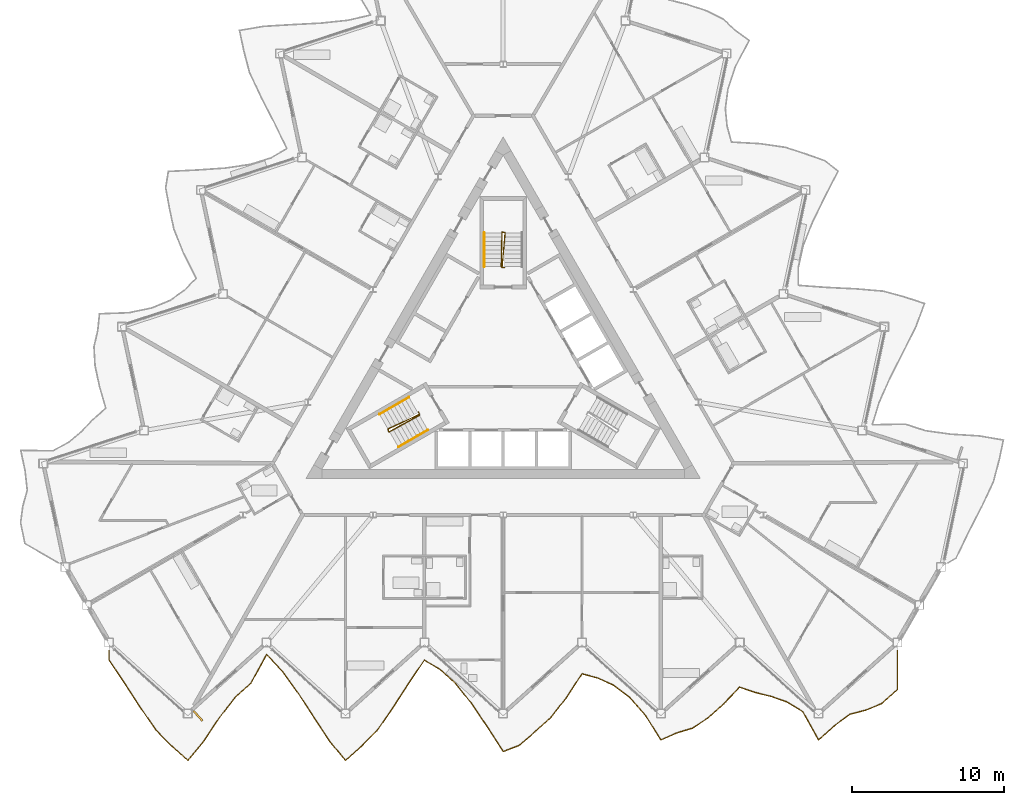
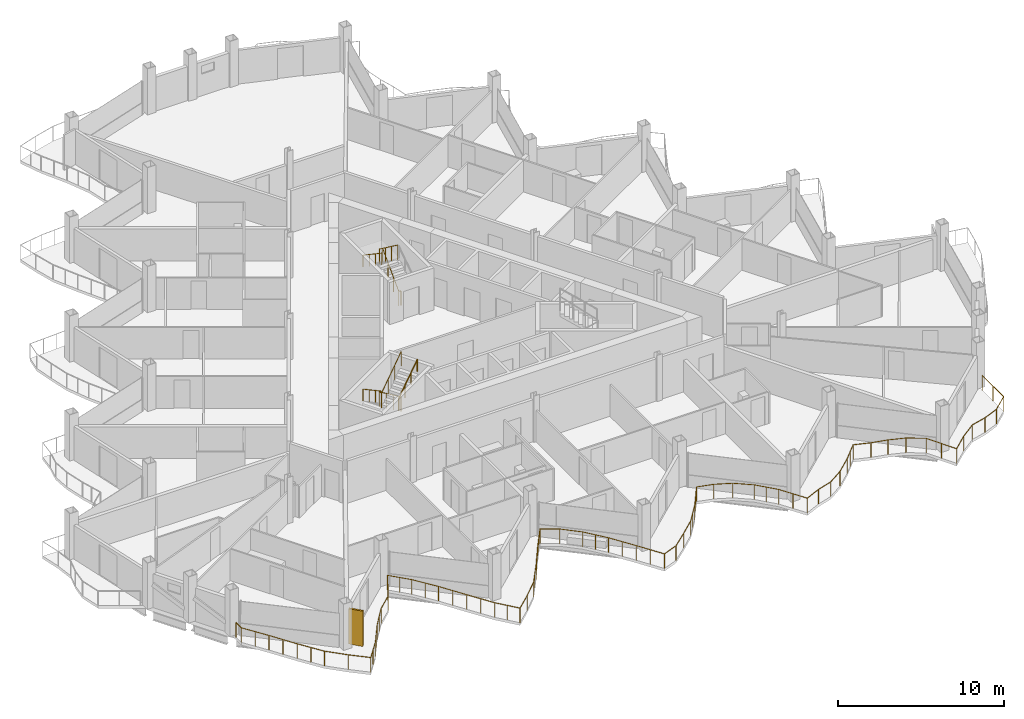
# One storey, part 22 of 26: 6 railings, 1 shading device.
"""IFC4 building model written with IfcOpenShell, lengths in metres."""

import ifcopenshell
import ifcopenshell.guid

model = None  # the IFC model being written
_history = None  # IfcOwnerHistory: only IFC2X3 demands one
_inside = {}  # id of a spatial element -> (the spatial element, [elements in it])
_under = {}  # id of a project, library or spatial element -> (it, [spatial elements below it])
_declared = {}  # id of a project -> (the project, [libraries it declares])
_typed = {}  # id of a type object -> (the type object, [elements of that type])
_made_of = {}  # id of a material, layer set ... -> (it, [elements and type objects made of it])


def new_model(schema):
    """Start an empty IFC model of exactly this schema.

    Asked for "IFC4X3", IfcOpenShell would pick the latest addendum, in which some entities
    have other attributes; the version numbers below select the first issue.
    IFC2X3 requires an IfcOwnerHistory on every rooted entity: one is made here for all.
    """
    global model, _history
    if schema == "IFC4X3":
        model = ifcopenshell.file(schema_version=(4, 3, 0, 0))
    else:
        model = ifcopenshell.file(schema=schema)
    _inside.clear()
    _under.clear()
    _declared.clear()
    _typed.clear()
    _made_of.clear()
    _history = None
    if model.schema == "IFC2X3":
        org = make("IfcOrganization", Name="unknown")
        user = make(
            "IfcPersonAndOrganization",
            ThePerson=make("IfcPerson", FamilyName="unknown"),
            TheOrganization=org,
        )
        app = make(
            "IfcApplication",
            ApplicationDeveloper=org,
            Version="unknown",
            ApplicationFullName="unknown",
            ApplicationIdentifier="unknown",
        )
        _history = make(
            "IfcOwnerHistory",
            OwningUser=user,
            OwningApplication=app,
            ChangeAction="ADDED",
            CreationDate=0,
        )
    return model


def make(cls, **values):
    """One entity of the class cls with the attributes given. An attribute that is None is left unset."""
    return model.create_entity(
        cls, **{name: value for name, value in values.items() if value is not None}
    )


def rooted(cls, **values):
    """An entity with a GlobalId (a new one), such as an element, a storey or a relation."""
    return make(cls, GlobalId=ifcopenshell.guid.new(), OwnerHistory=_history, **values)


def si_unit(unit_type, name, prefix=None):
    """IfcSIUnit, for example si_unit("LENGTHUNIT", "METRE", prefix="MILLI")."""
    return make("IfcSIUnit", UnitType=unit_type, Prefix=prefix, Name=name)


def assignment(units):
    """IfcUnitAssignment: the units of a project."""
    return None if units is None else make("IfcUnitAssignment", Units=units)


def point(xyz):
    """IfcCartesianPoint."""
    return None if xyz is None else make("IfcCartesianPoint", Coordinates=xyz)


def direction(xyz):
    """IfcDirection."""
    return None if xyz is None else make("IfcDirection", DirectionRatios=xyz)


def frame(location, z_axis=None, x_axis=None):
    """IfcAxis2Placement3D, a coordinate frame: its origin and axes. An axis left out is left unset."""
    return make(
        "IfcAxis2Placement3D",
        Location=point(location),
        Axis=direction(z_axis),
        RefDirection=direction(x_axis),
    )


def frame_2d(location, x_axis=None):
    """IfcAxis2Placement2D, a coordinate frame in the plane: its origin and x axis."""
    return make(
        "IfcAxis2Placement2D", Location=point(location), RefDirection=direction(x_axis)
    )


def origin():
    """The frame at (0, 0, 0) with its axes left unset."""
    return frame((0.0, 0.0, 0.0))


def origin_2d():
    """The frame at (0, 0) in the plane with its x axis left unset."""
    return frame_2d((0.0, 0.0))


def place(relative_to, where):
    """IfcLocalPlacement: puts the frame where relative to a parent placement (None: the world)."""
    return make(
        "IfcLocalPlacement", PlacementRelTo=relative_to, RelativePlacement=where
    )


def context(
    kind, dimensions, precision=None, world=None, true_north=None, identifier=None
):
    """IfcGeometricRepresentationContext, for example the 3D "Model" context."""
    return make(
        "IfcGeometricRepresentationContext",
        ContextIdentifier=identifier,
        ContextType=kind,
        CoordinateSpaceDimension=dimensions,
        Precision=precision,
        WorldCoordinateSystem=world,
        TrueNorth=true_north,
    )


def subcontext(parent, identifier, kind, view, scale=None):
    """IfcGeometricRepresentationSubContext, for example "Body" below "Model"."""
    return make(
        "IfcGeometricRepresentationSubContext",
        ContextIdentifier=identifier,
        ContextType=kind,
        ParentContext=parent,
        TargetScale=scale,
        TargetView=view,
    )


def project(units=None, contexts=None):
    """IfcProject with its units and contexts."""
    return rooted(
        "IfcProject",
        Name="project",
        RepresentationContexts=contexts,
        UnitsInContext=assignment(units),
    )


def spatial(cls, under=None, at=None, **own):
    """A site, building, storey or space (cls), placed at a placement, below another one or the project."""
    s = rooted(cls, ObjectPlacement=at, **own)
    if under is not None:
        _under.setdefault(under.id(), (under, []))[1].append(s)
    return s


def profile(cls, at=None, kind="AREA", **sizes):
    """A parametric profile (cls). Its sizes go by their IFC names, for example OverallWidth=200.0."""
    return make(cls, ProfileType=kind, Position=at, **sizes)


def rectangle(**sizes):
    """IfcRectangleProfileDef."""
    return profile("IfcRectangleProfileDef", **sizes)


def circle(**sizes):
    """IfcCircleProfileDef."""
    return profile("IfcCircleProfileDef", **sizes)


def extrude(swept, where, along, depth):
    """IfcExtrudedAreaSolid: the profile swept, set in the frame where, extruded along a direction by depth."""
    return make(
        "IfcExtrudedAreaSolid",
        SweptArea=swept,
        Position=where,
        ExtrudedDirection=direction(along),
        Depth=depth,
    )


def shape(context_of_items, identifier, shape_type, items):
    """IfcShapeRepresentation: the items that make up one representation, for example the "Body"."""
    return make(
        "IfcShapeRepresentation",
        ContextOfItems=context_of_items,
        RepresentationIdentifier=identifier,
        RepresentationType=shape_type,
        Items=items,
    )


def material(Name=None, Category=None):
    """IfcMaterial."""
    return make("IfcMaterial", Name=Name, Category=Category)


def layer(
    of_material, thickness, ventilated=None, Name=None, Category=None, Priority=None
):
    """IfcMaterialLayer: one layer of a wall or slab, of a material (None: an air gap)."""
    return make(
        "IfcMaterialLayer",
        Material=of_material,
        LayerThickness=thickness,
        IsVentilated=ventilated,
        Name=Name,
        Category=Category,
        Priority=Priority,
    )


def layer_set(layers, Name=None):
    """IfcMaterialLayerSet."""
    return make("IfcMaterialLayerSet", MaterialLayers=layers, LayerSetName=Name)


def made_of(thing, what):
    """Note that an element or type object is made of a material, layer set ...; save() writes the relation."""
    if what is not None:
        _made_of.setdefault(what.id(), (what, []))[1].append(thing)
    return thing


def type_object(cls, material=None, **own):
    """A type object (cls), such as IfcWallType, which elements share."""
    return made_of(rooted(cls, **own), material)


def element(
    cls,
    number,
    at=None,
    inside=None,
    cuts=None,
    type_object=None,
    material=None,
    context=None,
    identifier="Body",
    shape_type=None,
    held_by="IfcProductDefinitionShape",
    body=None,
    shapes=None,
    **own,
):
    """One element of the class cls, such as IfcWall. Its Tag is "e" and its number.

    at: its placement. inside: the storey or other place that contains it. cuts: it is an
    opening in that element (IfcRelVoidsElement). A single representation is given by context,
    identifier, shape_type and body (its items); several are given by shapes. held_by: the class
    of the entity that holds the representations. save() writes the other relations.
    """
    e = rooted(cls, Tag="e%d" % number, ObjectPlacement=at, **own)
    if body is not None:
        shapes = [shape(context, identifier, shape_type, body)]
    if shapes is not None:
        e.Representation = make(held_by, Representations=shapes)
    if inside is not None:
        _inside.setdefault(inside.id(), (inside, []))[1].append(e)
    if cuts is not None:
        rooted(
            "IfcRelVoidsElement", RelatingBuildingElement=cuts, RelatedOpeningElement=e
        )
    if type_object is not None:
        _typed.setdefault(type_object.id(), (type_object, []))[1].append(e)
    return made_of(e, material)


def aggregate(whole, parts):
    """IfcRelAggregates: a whole, such as a stair, and the parts it consists of."""
    return rooted("IfcRelAggregates", RelatingObject=whole, RelatedObjects=parts)


def save(model, path):
    """Write the relations noted so far, then the file.

    IfcRelAggregates (storeys below a building ...), IfcRelContainedInSpatialStructure (elements
    in a storey), IfcRelDefinesByType, IfcRelAssociatesMaterial and IfcRelDeclares: one each for
    every whole, place, type object, material and project.
    """
    for whole, parts in _under.values():
        aggregate(whole, parts)
    for where, things in _inside.values():
        rooted(
            "IfcRelContainedInSpatialStructure",
            RelatedElements=things,
            RelatingStructure=where,
        )
    for kind, things in _typed.values():
        rooted("IfcRelDefinesByType", RelatedObjects=things, RelatingType=kind)
    for what, things in _made_of.values():
        rooted("IfcRelAssociatesMaterial", RelatedObjects=things, RelatingMaterial=what)
    for by, libraries in _declared.values():
        rooted("IfcRelDeclares", RelatingContext=by, RelatedDefinitions=libraries)
    model.write(path)


model = new_model("IFC4")

# Units and contexts
model_context = context("Model", 3, precision=1e-05, world=origin(), true_north=direction((0.0, 1.0)))
body_context = subcontext(model_context, "Body", "Model", "MODEL_VIEW")
ifc_project = project(units=[si_unit("LENGTHUNIT", "METRE"), si_unit("AREAUNIT", "SQUARE_METRE"), si_unit("VOLUMEUNIT", "CUBIC_METRE"), si_unit("PLANEANGLEUNIT", "RADIAN"), si_unit("MASSUNIT", "GRAM", prefix="KILO")], contexts=[model_context])

# Site, building, storey
site_placement = place(None, origin())
site = spatial("IfcSite", under=ifc_project, at=site_placement, CompositionType="ELEMENT")
building_placement = place(site_placement, origin())
building = spatial("IfcBuilding", under=site, at=building_placement, Name="Cormorant Prow Tower", CompositionType="ELEMENT")
storey_placement = place(building_placement, frame((0.0, 0.0, 339.199951171875)))
storey = spatial("IfcBuildingStorey", under=building, at=storey_placement, Name="L76", CompositionType="ELEMENT", Elevation=339.199951171875)

# Railings
ifc_material_1 = material(Name="Aluminium 6063-T6", Category="aluminium")
railing_type_1 = type_object("IfcRailingType", Name="Balcony guard 1100", PredefinedType="GUARDRAIL", material=ifc_material_1)
railing_1_placement = place(storey_placement, frame((-25.987548828125, -18.845458984375, 0.0)))
element("IfcRailing", 1, at=railing_1_placement, inside=storey, type_object=railing_type_1, Name="Balcony guard S", PredefinedType="GUARDRAIL", context=body_context, shape_type="SweptSolid", body=[
    extrude(circle(Radius=0.02392578125, at=origin_2d()), frame((0.0, 0.0, 1.076171875), z_axis=(0.0, -1.0, 0.0), x_axis=(1.0, 0.0, 0.0)), (0.0, 0.0, 1.0), 0.63623046875),
    extrude(circle(Radius=0.02392578125, at=origin_2d()), frame((0.0, -0.63623046875, 1.076171875), z_axis=(0.562664182009, -0.826685561918, 0.0), x_axis=(0.826685561918, 0.562664182009, 0.0)), (0.0, 0.0, 1.0), 1.84765625),
    extrude(circle(Radius=0.02392578125, at=origin_2d()), frame((1.03955078125, -2.16357421875, 1.076171875), z_axis=(0.541509580812, -0.840694578244, 0.0), x_axis=(0.840694578244, 0.541509580812, 0.0)), (0.0, 0.0, 1.0), 1.919189453125),
    extrude(circle(Radius=0.02392578125, at=origin_2d()), frame((2.078857421875, -3.777099609375, 1.076171875), z_axis=(0.569550750807, -0.821956168086, 0.0), x_axis=(0.821956168086, 0.569550750807, 0.0)), (0.0, 0.0, 1.0), 1.8251953125),
    extrude(circle(Radius=0.02392578125, at=origin_2d()), frame((3.118408203125, -5.27734375, 1.076171875), z_axis=(0.708103875041, -0.706108279339, 0.0), x_axis=(0.706108279339, 0.708103875041, 0.0)), (0.0, 0.0, 1.0), 1.468017578125),
    extrude(circle(Radius=0.02392578125, at=origin_2d()), frame((4.157958984375, -6.31396484375, 1.076171875), z_axis=(0.743137919086, -0.669138276603, 0.0), x_axis=(0.669138276603, 0.743137919086, 0.0)), (0.0, 0.0, 1.0), 1.39892578125),
    extrude(circle(Radius=0.02392578125, at=origin_2d()), frame((5.197509765625, -7.25, 1.076171875), z_axis=(0.639859163057, 0.768492193488, 0.0), x_axis=(-0.768492193488, 0.639859163057, 0.0)), (0.0, 0.0, 1.0), 1.624755859375),
    extrude(circle(Radius=0.02392578125, at=origin_2d()), frame((6.237060546875, -6.00146484375, 1.076171875), z_axis=(0.551676034913, 0.834058482663, 0.0), x_axis=(-0.834058482663, 0.551676034913, 0.0)), (0.0, 0.0, 1.0), 1.8837890625),
    extrude(circle(Radius=0.02392578125, at=origin_2d()), frame((7.2763671875, -4.43017578125, 1.076171875), z_axis=(0.613491650361, 0.789701206113, 0.0), x_axis=(-0.789701206113, 0.613491650361, 0.0)), (0.0, 0.0, 1.0), 1.694580078125),
    extrude(circle(Radius=0.02392578125, at=origin_2d()), frame((8.31591796875, -3.092041015625, 1.076171875), z_axis=(0.743137919086, 0.669138276603, 0.0), x_axis=(-0.669138276603, 0.743137919086, 0.0)), (0.0, 0.0, 1.0), 1.39892578125),
    extrude(circle(Radius=0.02392578125, at=origin_2d()), frame((9.35546875, -2.156005859375, 1.076171875), z_axis=(0.482723659499, 0.875772726545, 0.0), x_axis=(-0.875772726545, 0.482723659499, 0.0)), (0.0, 0.0, 1.0), 2.153564453125),
    extrude(circle(Radius=0.02392578125, at=origin_2d()), frame((10.39501953125, -0.27001953125, 1.076171875), z_axis=(0.681291432711, -0.732012283855, 0.0), x_axis=(0.732012283855, 0.681291432711, 0.0)), (0.0, 0.0, 1.0), 1.52587890625),
    extrude(circle(Radius=0.02392578125, at=origin_2d()), frame((11.4345703125, -1.386962890625, 1.076171875), z_axis=(0.587605246303, -0.80914774579, 0.0), x_axis=(0.80914774579, 0.587605246303, 0.0)), (0.0, 0.0, 1.0), 1.768798828125),
    extrude(circle(Radius=0.02392578125, at=origin_2d()), frame((12.473876953125, -2.818115234375, 1.076171875), z_axis=(0.544741003701, -0.838604339892, 0.0), x_axis=(0.838604339892, 0.544741003701, 0.0)), (0.0, 0.0, 1.0), 1.908447265625),
    extrude(circle(Radius=0.02392578125, at=origin_2d()), frame((13.513427734375, -4.41845703125, 1.076171875), z_axis=(0.55122990809, -0.834353395407, 0.0), x_axis=(0.834353395407, 0.55122990809, 0.0)), (0.0, 0.0, 1.0), 1.885986328125),
    extrude(circle(Radius=0.02392578125, at=origin_2d()), frame((14.552978515625, -5.991943359375, 1.076171875), z_axis=(0.63698582318, -0.770875515934, 0.0), x_axis=(0.770875515934, 0.63698582318, 0.0)), (0.0, 0.0, 1.0), 1.632080078125),
    extrude(circle(Radius=0.02392578125, at=origin_2d()), frame((15.592529296875, -7.25, 1.076171875), z_axis=(0.743137919086, 0.669138276603, 0.0), x_axis=(-0.669138276603, 0.743137919086, 0.0)), (0.0, 0.0, 1.0), 1.39892578125),
    extrude(circle(Radius=0.02392578125, at=origin_2d()), frame((16.632080078125, -6.31396484375, 1.076171875), z_axis=(0.710769610186, 0.703424879597, 0.0), x_axis=(-0.703424879597, 0.710769610186, 0.0)), (0.0, 0.0, 1.0), 1.462646484375),
    extrude(circle(Radius=0.02392578125, at=origin_2d()), frame((17.671630859375, -5.28515625, 1.076171875), z_axis=(0.570338060787, 0.821410065934, 0.0), x_axis=(-0.821410065934, 0.570338060787, 0.0)), (0.0, 0.0, 1.0), 1.822265625),
    extrude(circle(Radius=0.02392578125, at=origin_2d()), frame((18.7109375, -3.788330078125, 1.076171875), z_axis=(0.541657391168, 0.840599352006, 0.0), x_axis=(-0.840599352006, 0.541657391168, 0.0)), (0.0, 0.0, 1.0), 1.919189453125),
    extrude(circle(Radius=0.02392578125, at=origin_2d()), frame((19.75048828125, -2.175048828125, 1.076171875), z_axis=(0.561865998594, 0.827228263313, 0.0), x_axis=(-0.827228263313, 0.561865998594, 0.0)), (0.0, 0.0, 1.0), 1.85009765625),
    extrude(circle(Radius=0.02392578125, at=origin_2d()), frame((20.7900390625, -0.64453125, 1.076171875), z_axis=(0.866409076674, -0.499334869459, 0.0), x_axis=(0.499334869459, 0.866409076674, 0.0)), (0.0, 0.0, 1.0), 1.199951171875),
    extrude(circle(Radius=0.02392578125, at=origin_2d()), frame((21.82958984375, -1.24365234375, 1.076171875), z_axis=(0.736220414468, -0.676741827672, 0.0), x_axis=(0.676741827672, 0.736220414468, 0.0)), (0.0, 0.0, 1.0), 1.412109375),
    extrude(circle(Radius=0.02392578125, at=origin_2d()), frame((22.869140625, -2.19921875, 1.076171875), z_axis=(0.622499139958, -0.782620483217, 0.0), x_axis=(0.782620483217, 0.622499139958, 0.0)), (0.0, 0.0, 1.0), 1.669677734375),
    extrude(circle(Radius=0.02392578125, at=origin_2d()), frame((23.908447265625, -3.505859375, 1.076171875), z_axis=(0.55735556303, -0.830273916463, 0.0), x_axis=(0.830273916463, 0.55735556303, 0.0)), (0.0, 0.0, 1.0), 1.865234375),
    extrude(circle(Radius=0.02392578125, at=origin_2d()), frame((24.947998046875, -5.054443359375, 1.076171875), z_axis=(0.542411188386, -0.840113148757, 0.0), x_axis=(0.840113148757, 0.542411188386, 0.0)), (0.0, 0.0, 1.0), 1.91650390625),
    extrude(circle(Radius=0.02392578125, at=origin_2d()), frame((25.987548828125, -6.66455078125, 1.076171875), z_axis=(0.933763218047, 0.357891397805, 0.0), x_axis=(-0.357891397805, 0.933763218047, 0.0)), (0.0, 0.0, 1.0), 1.11328125),
    extrude(circle(Radius=0.02392578125, at=origin_2d()), frame((27.027099609375, -6.26611328125, 1.076171875), z_axis=(0.760289165959, 0.649584778243, 0.0), x_axis=(-0.649584778243, 0.760289165959, 0.0)), (0.0, 0.0, 1.0), 1.367431640625),
    extrude(circle(Radius=0.02392578125, at=origin_2d()), frame((28.066650390625, -5.3779296875, 1.076171875), z_axis=(0.743146563056, 0.669128676578, 0.0), x_axis=(-0.669128676578, 0.743146563056, 0.0)), (0.0, 0.0, 1.0), 1.3984375),
    extrude(circle(Radius=0.02392578125, at=origin_2d()), frame((29.10595703125, -4.442138671875, 1.076171875), z_axis=(0.619182124994, 0.785247410749, 0.0), x_axis=(-0.785247410749, 0.619182124994, 0.0)), (0.0, 0.0, 1.0), 1.678955078125),
    extrude(circle(Radius=0.02392578125, at=origin_2d()), frame((30.1455078125, -3.123779296875, 1.076171875), z_axis=(0.548206405263, 0.836343073881, 0.0), x_axis=(-0.836343073881, 0.548206405263, 0.0)), (0.0, 0.0, 1.0), 1.896240234375),
    extrude(circle(Radius=0.02392578125, at=origin_2d()), frame((31.18505859375, -1.537841796875, 1.076171875), z_axis=(0.965409680434, -0.260737701385, 0.0), x_axis=(0.260737701385, 0.965409680434, 0.0)), (0.0, 0.0, 1.0), 1.076904296875),
    extrude(circle(Radius=0.02392578125, at=origin_2d()), frame((32.224609375, -1.818603515625, 1.076171875), z_axis=(0.911769191365, -0.410702984744, 0.0), x_axis=(0.410702984744, 0.911769191365, 0.0)), (0.0, 0.0, 1.0), 1.14013671875),
    extrude(circle(Radius=0.02392578125, at=origin_2d()), frame((33.26416015625, -2.286865234375, 1.076171875), z_axis=(0.794839858182, -0.606819248084, 0.0), x_axis=(0.606819248084, 0.794839858182, 0.0)), (0.0, 0.0, 1.0), 1.3076171875),
    extrude(circle(Radius=0.02392578125, at=origin_2d()), frame((34.303466796875, -3.080322265625, 1.076171875), z_axis=(0.667179501071, -0.744896981703, 0.0), x_axis=(0.744896981703, 0.667179501071, 0.0)), (0.0, 0.0, 1.0), 1.55810546875),
    extrude(circle(Radius=0.02392578125, at=origin_2d()), frame((35.343017578125, -4.240966796875, 1.076171875), z_axis=(0.530996217595, -0.847374189422, 0.0), x_axis=(0.847374189422, 0.530996217595, 0.0)), (0.0, 0.0, 1.0), 1.957763671875),
    extrude(circle(Radius=0.02392578125, at=origin_2d()), frame((36.382568359375, -5.89990234375, 1.076171875), z_axis=(0.914006183236, 0.405700255123, 0.0), x_axis=(-0.405700255123, 0.914006183236, 0.0)), (0.0, 0.0, 1.0), 1.137451171875),
    extrude(circle(Radius=0.02392578125, at=origin_2d()), frame((37.422119140625, -5.4384765625, 1.076171875), z_axis=(0.956918494445, 0.290356668582, 0.0), x_axis=(-0.290356668582, 0.956918494445, 0.0)), (0.0, 0.0, 1.0), 1.08642578125),
    extrude(circle(Radius=0.02392578125, at=origin_2d()), frame((38.461669921875, -5.123046875, 1.076171875), z_axis=(0.83652633789, 0.547926715917, 0.0), x_axis=(-0.547926715917, 0.83652633789, 0.0)), (0.0, 0.0, 1.0), 1.24267578125),
    extrude(circle(Radius=0.02392578125, at=origin_2d()), frame((39.501220703125, -4.442138671875, 1.076171875), z_axis=(0.743059759904, 0.669225069174, 0.0), x_axis=(-0.669225069174, 0.743059759904, 0.0)), (0.0, 0.0, 1.0), 1.398681640625),
    extrude(circle(Radius=0.02392578125, at=origin_2d()), frame((40.54052734375, -3.506103515625, 1.076171875), z_axis=(0.691672471089, 0.722211321386, 0.0), x_axis=(-0.722211321386, 0.691672471089, 0.0)), (0.0, 0.0, 1.0), 1.5029296875),
    extrude(circle(Radius=0.02392578125, at=origin_2d()), frame((41.580078125, -2.420654296875, 1.076171875), z_axis=(0.94749733547, -0.319763661595, 0.0), x_axis=(0.319763661595, 0.94749733547, 0.0)), (0.0, 0.0, 1.0), 1.09716796875),
    extrude(circle(Radius=0.02392578125, at=origin_2d()), frame((42.61962890625, -2.771484375, 1.076171875), z_axis=(0.970543402603, -0.240926344892, 0.0), x_axis=(0.240926344892, 0.970543402603, 0.0)), (0.0, 0.0, 1.0), 1.071044921875),
    extrude(circle(Radius=0.02392578125, at=origin_2d()), frame((43.6591796875, -3.029541015625, 1.076171875), z_axis=(0.943602411342, -0.331080789701, 0.0), x_axis=(0.331080789701, 0.943602411342, 0.0)), (0.0, 0.0, 1.0), 1.1015625),
    extrude(circle(Radius=0.02392578125, at=origin_2d()), frame((44.69873046875, -3.394287109375, 1.076171875), z_axis=(0.851720136592, -0.523996955071, 0.0), x_axis=(0.523996955071, 0.851720136592, 0.0)), (0.0, 0.0, 1.0), 1.22021484375),
    extrude(circle(Radius=0.02392578125, at=origin_2d()), frame((45.738037109375, -4.03369140625, 1.076171875), z_axis=(0.486632385052, -0.873606846252, 0.0), x_axis=(0.873606846252, 0.486632385052, 0.0)), (0.0, 0.0, 1.0), 2.13623046875),
    extrude(circle(Radius=0.02392578125, at=origin_2d()), frame((46.777587890625, -5.89990234375, 1.076171875), z_axis=(0.743137919086, 0.669138276603, 0.0), x_axis=(-0.669138276603, 0.743137919086, 0.0)), (0.0, 0.0, 1.0), 1.39892578125),
    extrude(circle(Radius=0.02392578125, at=origin_2d()), frame((47.817138671875, -4.9638671875, 1.076171875), z_axis=(0.806633796018, 0.591051536772, 0.0), x_axis=(-0.591051536772, 0.806633796018, 0.0)), (0.0, 0.0, 1.0), 1.288818359375),
    extrude(circle(Radius=0.02392578125, at=origin_2d()), frame((48.856689453125, -4.2021484375, 1.076171875), z_axis=(0.968323455343, 0.249699190692, 0.0), x_axis=(-0.249699190692, 0.968323455343, 0.0)), (0.0, 0.0, 1.0), 1.073486328125),
    extrude(circle(Radius=0.02392578125, at=origin_2d()), frame((49.896240234375, -3.93408203125, 1.076171875), z_axis=(0.924669101293, 0.38077165482, 0.0), x_axis=(-0.38077165482, 0.924669101293, 0.0)), (0.0, 0.0, 1.0), 1.1240234375),
    extrude(circle(Radius=0.02392578125, at=origin_2d()), frame((50.935546875, -3.506103515625, 1.076171875), z_axis=(0.743137919086, 0.669138276603, 0.0), x_axis=(-0.669138276603, 0.743137919086, 0.0)), (0.0, 0.0, 1.0), 1.39892578125),
    extrude(circle(Radius=0.02392578125, at=origin_2d()), frame((51.97509765625, -2.570068359375, 1.076171875), z_axis=(0.0, 1.0, 0.0), x_axis=(-1.0, 0.0, 0.0)), (0.0, 0.0, 1.0), 2.570068359375),
    extrude(circle(Radius=0.02099609375, at=origin_2d()), origin(), (0.0, 0.0, 1.0), 1.052001953125),
    extrude(circle(Radius=0.02099609375, at=origin_2d()), frame((0.0, -0.63623046875, 0.0)), (0.0, 0.0, 1.0), 1.052001953125),
    extrude(circle(Radius=0.02099609375, at=origin_2d()), frame((0.519775390625, -1.39990234375, 0.0)), (0.0, 0.0, 1.0), 1.052001953125),
    extrude(circle(Radius=0.02099609375, at=origin_2d()), frame((1.03955078125, -2.16357421875, 0.0)), (0.0, 0.0, 1.0), 1.052001953125),
    extrude(circle(Radius=0.02099609375, at=origin_2d()), frame((1.55908203125, -2.97021484375, 0.0)), (0.0, 0.0, 1.0), 1.052001953125),
    extrude(circle(Radius=0.02099609375, at=origin_2d()), frame((2.078857421875, -3.777099609375, 0.0)), (0.0, 0.0, 1.0), 1.052001953125),
    extrude(circle(Radius=0.02099609375, at=origin_2d()), frame((2.5986328125, -4.52734375, 0.0)), (0.0, 0.0, 1.0), 1.052001953125),
    extrude(circle(Radius=0.02099609375, at=origin_2d()), frame((3.118408203125, -5.27734375, 0.0)), (0.0, 0.0, 1.0), 1.052001953125),
    extrude(circle(Radius=0.02099609375, at=origin_2d()), frame((4.157958984375, -6.31396484375, 0.0)), (0.0, 0.0, 1.0), 1.052001953125),
    extrude(circle(Radius=0.02099609375, at=origin_2d()), frame((5.197509765625, -7.25, 0.0)), (0.0, 0.0, 1.0), 1.052001953125),
    extrude(circle(Radius=0.02099609375, at=origin_2d()), frame((5.71728515625, -6.625732421875, 0.0)), (0.0, 0.0, 1.0), 1.052001953125),
    extrude(circle(Radius=0.02099609375, at=origin_2d()), frame((6.237060546875, -6.00146484375, 0.0)), (0.0, 0.0, 1.0), 1.052001953125),
    extrude(circle(Radius=0.02099609375, at=origin_2d()), frame((6.7568359375, -5.2158203125, 0.0)), (0.0, 0.0, 1.0), 1.052001953125),
    extrude(circle(Radius=0.02099609375, at=origin_2d()), frame((7.2763671875, -4.43017578125, 0.0)), (0.0, 0.0, 1.0), 1.052001953125),
    extrude(circle(Radius=0.02099609375, at=origin_2d()), frame((7.796142578125, -3.76123046875, 0.0)), (0.0, 0.0, 1.0), 1.052001953125),
    extrude(circle(Radius=0.02099609375, at=origin_2d()), frame((8.31591796875, -3.092041015625, 0.0)), (0.0, 0.0, 1.0), 1.052001953125),
    extrude(circle(Radius=0.02099609375, at=origin_2d()), frame((9.35546875, -2.156005859375, 0.0)), (0.0, 0.0, 1.0), 1.052001953125),
    extrude(circle(Radius=0.02099609375, at=origin_2d()), frame((9.875244140625, -1.212890625, 0.0)), (0.0, 0.0, 1.0), 1.052001953125),
    extrude(circle(Radius=0.02099609375, at=origin_2d()), frame((10.39501953125, -0.27001953125, 0.0)), (0.0, 0.0, 1.0), 1.052001953125),
    extrude(circle(Radius=0.02099609375, at=origin_2d()), frame((10.914794921875, -0.82861328125, 0.0)), (0.0, 0.0, 1.0), 1.052001953125),
    extrude(circle(Radius=0.02099609375, at=origin_2d()), frame((11.4345703125, -1.386962890625, 0.0)), (0.0, 0.0, 1.0), 1.052001953125),
    extrude(circle(Radius=0.02099609375, at=origin_2d()), frame((11.9541015625, -2.1025390625, 0.0)), (0.0, 0.0, 1.0), 1.052001953125),
    extrude(circle(Radius=0.02099609375, at=origin_2d()), frame((12.473876953125, -2.818115234375, 0.0)), (0.0, 0.0, 1.0), 1.052001953125),
    extrude(circle(Radius=0.02099609375, at=origin_2d()), frame((12.99365234375, -3.6181640625, 0.0)), (0.0, 0.0, 1.0), 1.052001953125),
    extrude(circle(Radius=0.02099609375, at=origin_2d()), frame((13.513427734375, -4.41845703125, 0.0)), (0.0, 0.0, 1.0), 1.052001953125),
    extrude(circle(Radius=0.02099609375, at=origin_2d()), frame((14.033203125, -5.205078125, 0.0)), (0.0, 0.0, 1.0), 1.052001953125),
    extrude(circle(Radius=0.02099609375, at=origin_2d()), frame((14.552978515625, -5.991943359375, 0.0)), (0.0, 0.0, 1.0), 1.052001953125),
    extrude(circle(Radius=0.02099609375, at=origin_2d()), frame((15.07275390625, -6.62109375, 0.0)), (0.0, 0.0, 1.0), 1.052001953125),
    extrude(circle(Radius=0.02099609375, at=origin_2d()), frame((15.592529296875, -7.25, 0.0)), (0.0, 0.0, 1.0), 1.052001953125),
    extrude(circle(Radius=0.02099609375, at=origin_2d()), frame((16.632080078125, -6.31396484375, 0.0)), (0.0, 0.0, 1.0), 1.052001953125),
    extrude(circle(Radius=0.02099609375, at=origin_2d()), frame((17.671630859375, -5.28515625, 0.0)), (0.0, 0.0, 1.0), 1.052001953125),
    extrude(circle(Radius=0.02099609375, at=origin_2d()), frame((18.19140625, -4.53662109375, 0.0)), (0.0, 0.0, 1.0), 1.052001953125),
    extrude(circle(Radius=0.02099609375, at=origin_2d()), frame((18.7109375, -3.788330078125, 0.0)), (0.0, 0.0, 1.0), 1.052001953125),
    extrude(circle(Radius=0.02099609375, at=origin_2d()), frame((19.230712890625, -2.981689453125, 0.0)), (0.0, 0.0, 1.0), 1.052001953125),
    extrude(circle(Radius=0.02099609375, at=origin_2d()), frame((19.75048828125, -2.175048828125, 0.0)), (0.0, 0.0, 1.0), 1.052001953125),
    extrude(circle(Radius=0.02099609375, at=origin_2d()), frame((20.270263671875, -1.40966796875, 0.0)), (0.0, 0.0, 1.0), 1.052001953125),
    extrude(circle(Radius=0.02099609375, at=origin_2d()), frame((20.7900390625, -0.64453125, 0.0)), (0.0, 0.0, 1.0), 1.052001953125),
    extrude(circle(Radius=0.02099609375, at=origin_2d()), frame((21.82958984375, -1.24365234375, 0.0)), (0.0, 0.0, 1.0), 1.052001953125),
    extrude(circle(Radius=0.02099609375, at=origin_2d()), frame((22.869140625, -2.19921875, 0.0)), (0.0, 0.0, 1.0), 1.052001953125),
    extrude(circle(Radius=0.02099609375, at=origin_2d()), frame((23.388671875, -2.8525390625, 0.0)), (0.0, 0.0, 1.0), 1.052001953125),
    extrude(circle(Radius=0.02099609375, at=origin_2d()), frame((23.908447265625, -3.505859375, 0.0)), (0.0, 0.0, 1.0), 1.052001953125),
    extrude(circle(Radius=0.02099609375, at=origin_2d()), frame((24.42822265625, -4.2802734375, 0.0)), (0.0, 0.0, 1.0), 1.052001953125),
    extrude(circle(Radius=0.02099609375, at=origin_2d()), frame((24.947998046875, -5.054443359375, 0.0)), (0.0, 0.0, 1.0), 1.052001953125),
    extrude(circle(Radius=0.02099609375, at=origin_2d()), frame((25.4677734375, -5.859375, 0.0)), (0.0, 0.0, 1.0), 1.052001953125),
    extrude(circle(Radius=0.02099609375, at=origin_2d()), frame((25.987548828125, -6.66455078125, 0.0)), (0.0, 0.0, 1.0), 1.052001953125),
    extrude(circle(Radius=0.02099609375, at=origin_2d()), frame((27.027099609375, -6.26611328125, 0.0)), (0.0, 0.0, 1.0), 1.052001953125),
    extrude(circle(Radius=0.02099609375, at=origin_2d()), frame((28.066650390625, -5.3779296875, 0.0)), (0.0, 0.0, 1.0), 1.052001953125),
    extrude(circle(Radius=0.02099609375, at=origin_2d()), frame((29.10595703125, -4.442138671875, 0.0)), (0.0, 0.0, 1.0), 1.052001953125),
    extrude(circle(Radius=0.02099609375, at=origin_2d()), frame((29.625732421875, -3.782958984375, 0.0)), (0.0, 0.0, 1.0), 1.052001953125),
    extrude(circle(Radius=0.02099609375, at=origin_2d()), frame((30.1455078125, -3.123779296875, 0.0)), (0.0, 0.0, 1.0), 1.052001953125),
    extrude(circle(Radius=0.02099609375, at=origin_2d()), frame((30.665283203125, -2.330810546875, 0.0)), (0.0, 0.0, 1.0), 1.052001953125),
    extrude(circle(Radius=0.02099609375, at=origin_2d()), frame((31.18505859375, -1.537841796875, 0.0)), (0.0, 0.0, 1.0), 1.052001953125),
    extrude(circle(Radius=0.02099609375, at=origin_2d()), frame((32.224609375, -1.818603515625, 0.0)), (0.0, 0.0, 1.0), 1.052001953125),
    extrude(circle(Radius=0.02099609375, at=origin_2d()), frame((33.26416015625, -2.286865234375, 0.0)), (0.0, 0.0, 1.0), 1.052001953125),
    extrude(circle(Radius=0.02099609375, at=origin_2d()), frame((34.303466796875, -3.080322265625, 0.0)), (0.0, 0.0, 1.0), 1.052001953125),
    extrude(circle(Radius=0.02099609375, at=origin_2d()), frame((34.8232421875, -3.66064453125, 0.0)), (0.0, 0.0, 1.0), 1.052001953125),
    extrude(circle(Radius=0.02099609375, at=origin_2d()), frame((35.343017578125, -4.240966796875, 0.0)), (0.0, 0.0, 1.0), 1.052001953125),
    extrude(circle(Radius=0.02099609375, at=origin_2d()), frame((35.86279296875, -5.0703125, 0.0)), (0.0, 0.0, 1.0), 1.052001953125),
    extrude(circle(Radius=0.02099609375, at=origin_2d()), frame((36.382568359375, -5.89990234375, 0.0)), (0.0, 0.0, 1.0), 1.052001953125),
    extrude(circle(Radius=0.02099609375, at=origin_2d()), frame((37.422119140625, -5.4384765625, 0.0)), (0.0, 0.0, 1.0), 1.052001953125),
    extrude(circle(Radius=0.02099609375, at=origin_2d()), frame((38.461669921875, -5.123046875, 0.0)), (0.0, 0.0, 1.0), 1.052001953125),
    extrude(circle(Radius=0.02099609375, at=origin_2d()), frame((39.501220703125, -4.442138671875, 0.0)), (0.0, 0.0, 1.0), 1.052001953125),
    extrude(circle(Radius=0.02099609375, at=origin_2d()), frame((40.54052734375, -3.506103515625, 0.0)), (0.0, 0.0, 1.0), 1.052001953125),
    extrude(circle(Radius=0.02099609375, at=origin_2d()), frame((41.060302734375, -2.96337890625, 0.0)), (0.0, 0.0, 1.0), 1.052001953125),
    extrude(circle(Radius=0.02099609375, at=origin_2d()), frame((41.580078125, -2.420654296875, 0.0)), (0.0, 0.0, 1.0), 1.052001953125),
    extrude(circle(Radius=0.02099609375, at=origin_2d()), frame((42.61962890625, -2.771484375, 0.0)), (0.0, 0.0, 1.0), 1.052001953125),
    extrude(circle(Radius=0.02099609375, at=origin_2d()), frame((43.6591796875, -3.029541015625, 0.0)), (0.0, 0.0, 1.0), 1.052001953125),
    extrude(circle(Radius=0.02099609375, at=origin_2d()), frame((44.69873046875, -3.394287109375, 0.0)), (0.0, 0.0, 1.0), 1.052001953125),
    extrude(circle(Radius=0.02099609375, at=origin_2d()), frame((45.738037109375, -4.03369140625, 0.0)), (0.0, 0.0, 1.0), 1.052001953125),
    extrude(circle(Radius=0.02099609375, at=origin_2d()), frame((46.2578125, -4.966796875, 0.0)), (0.0, 0.0, 1.0), 1.052001953125),
    extrude(circle(Radius=0.02099609375, at=origin_2d()), frame((46.777587890625, -5.89990234375, 0.0)), (0.0, 0.0, 1.0), 1.052001953125),
    extrude(circle(Radius=0.02099609375, at=origin_2d()), frame((47.817138671875, -4.9638671875, 0.0)), (0.0, 0.0, 1.0), 1.052001953125),
    extrude(circle(Radius=0.02099609375, at=origin_2d()), frame((48.856689453125, -4.2021484375, 0.0)), (0.0, 0.0, 1.0), 1.052001953125),
    extrude(circle(Radius=0.02099609375, at=origin_2d()), frame((49.896240234375, -3.93408203125, 0.0)), (0.0, 0.0, 1.0), 1.052001953125),
    extrude(circle(Radius=0.02099609375, at=origin_2d()), frame((50.935546875, -3.506103515625, 0.0)), (0.0, 0.0, 1.0), 1.052001953125),
    extrude(circle(Radius=0.02099609375, at=origin_2d()), frame((51.97509765625, -2.570068359375, 0.0)), (0.0, 0.0, 1.0), 1.052001953125),
    extrude(circle(Radius=0.02099609375, at=origin_2d()), frame((51.97509765625, -1.28515625, 0.0)), (0.0, 0.0, 1.0), 1.052001953125),
    extrude(circle(Radius=0.02099609375, at=origin_2d()), frame((51.97509765625, 0.0, 0.0)), (0.0, 0.0, 1.0), 1.052001953125),
])
ifc_material_2 = material(Name="Stainless steel", Category="steel")
railing_type_2 = type_object("IfcRailingType", Name="Stair guard 1100", PredefinedType="GUARDRAIL", material=ifc_material_2)
railing_2_placement = place(storey_placement, frame((-5.585205078125, -3.137939453125, 0.0)))
element("IfcRailing", 2, at=railing_2_placement, inside=storey, type_object=railing_type_2, Name="L76 ST1 stair guard 1", PredefinedType="GUARDRAIL", context=body_context, shape_type="SweptSolid", body=[
    extrude(circle(Radius=0.02392578125, at=origin_2d()), frame((0.0, 0.0, 1.076171875), z_axis=(0.501036270542, -0.865426285481, 0.0), x_axis=(0.865426285481, 0.501036270542, 0.0)), (0.0, 0.0, 1.0), 0.150146484375),
    extrude(circle(Radius=0.02392578125, at=origin_2d()), frame((0.0751953125, -0.1298828125, 1.076171875), z_axis=(-0.728641035543, -0.339941399566, 0.594577233152), x_axis=(0.422792438952, -0.906226546491, 0.0)), (0.0, 0.0, 1.0), 2.859130859375),
    extrude(circle(Radius=0.02392578125, at=origin_2d()), frame((-2.008056640625, -1.101806640625, 2.77587890625), z_axis=(0.275034262293, -0.961434425515, 0.0), x_axis=(0.961434425515, 0.275034262293, 0.0)), (0.0, 0.0, 1.0), 0.2060546875),
    extrude(circle(Radius=0.02392578125, at=origin_2d()), frame((-1.951416015625, -1.2998046875, 2.77587890625), z_axis=(0.704022539576, 0.386159700774, 0.596014219014), x_axis=(-0.480911908544, 0.87676891837, 0.0)), (0.0, 0.0, 1.0), 2.8525390625),
    extrude(circle(Radius=0.02099609375, at=origin_2d()), origin(), (0.0, 0.0, 1.0), 1.052001953125),
    extrude(circle(Radius=0.02099609375, at=origin_2d()), frame((0.0751953125, -0.1298828125, 0.0)), (0.0, 0.0, 1.0), 1.052001953125),
    extrude(circle(Radius=0.02099609375, at=origin_2d()), frame((-0.619140625, -0.453857421875, 0.566650390625)), (0.0, 0.0, 1.0), 1.052001953125),
    extrude(circle(Radius=0.02099609375, at=origin_2d()), frame((-1.313720703125, -0.77783203125, 1.13330078125)), (0.0, 0.0, 1.0), 1.052001953125),
    extrude(circle(Radius=0.02099609375, at=origin_2d()), frame((-2.008056640625, -1.101806640625, 1.699951171875)), (0.0, 0.0, 1.0), 1.052001953125),
    extrude(circle(Radius=0.02099609375, at=origin_2d()), frame((-1.951416015625, -1.2998046875, 1.699951171875)), (0.0, 0.0, 1.0), 1.052001953125),
    extrude(circle(Radius=0.02099609375, at=origin_2d()), frame((-1.281982421875, -0.9326171875, 2.2666015625)), (0.0, 0.0, 1.0), 1.052001953125),
    extrude(circle(Radius=0.02099609375, at=origin_2d()), frame((-0.612548828125, -0.5654296875, 2.83349609375)), (0.0, 0.0, 1.0), 1.052001953125),
    extrude(circle(Radius=0.02099609375, at=origin_2d()), frame((0.056884765625, -0.1982421875, 3.400146484375)), (0.0, 0.0, 1.0), 1.052001953125),
])
railing_3_placement = place(storey_placement, frame((0.074951171875, 6.40576171875, 0.0)))
element("IfcRailing", 3, at=railing_3_placement, inside=storey, type_object=railing_type_2, Name="L76 ST3 stair guard 1", PredefinedType="GUARDRAIL", context=body_context, shape_type="SweptSolid", body=[
    extrude(circle(Radius=0.02392578125, at=origin_2d()), frame((0.0, 0.0, 1.076171875), z_axis=(-1.0, 0.0, 0.0), x_axis=(0.0, -1.0, 0.0)), (0.0, 0.0, 1.0), 0.14990234375),
    extrude(circle(Radius=0.02392578125, at=origin_2d()), frame((-0.14990234375, 0.0, 1.076171875), z_axis=(0.069936542308, 0.800982621307, 0.594588698525), x_axis=(-0.996209839609, 0.086982500921, 0.0)), (0.0, 0.0, 1.0), 2.859130859375),
    extrude(circle(Radius=0.02392578125, at=origin_2d()), frame((0.050048828125, 2.2900390625, 2.77587890625), z_axis=(-0.970072785993, 0.242814311512, 0.0), x_axis=(-0.242814311512, -0.970072785993, 0.0)), (0.0, 0.0, 1.0), 0.2060546875),
    extrude(circle(Radius=0.02392578125, at=origin_2d()), frame((-0.14990234375, 2.340087890625, 2.77587890625), z_axis=(-0.017544855785, -0.802784132979, 0.596011588706), x_axis=(0.999761264773, -0.0218497931, 0.0)), (0.0, 0.0, 1.0), 2.8525390625),
    extrude(circle(Radius=0.02099609375, at=origin_2d()), origin(), (0.0, 0.0, 1.0), 1.052001953125),
    extrude(circle(Radius=0.02099609375, at=origin_2d()), frame((-0.14990234375, 0.0, 0.0)), (0.0, 0.0, 1.0), 1.052001953125),
    extrude(circle(Radius=0.02099609375, at=origin_2d()), frame((-0.083251953125, 0.763427734375, 0.566650390625)), (0.0, 0.0, 1.0), 1.052001953125),
    extrude(circle(Radius=0.02099609375, at=origin_2d()), frame((-0.0166015625, 1.526611328125, 1.13330078125)), (0.0, 0.0, 1.0), 1.052001953125),
    extrude(circle(Radius=0.02099609375, at=origin_2d()), frame((0.050048828125, 2.2900390625, 1.699951171875)), (0.0, 0.0, 1.0), 1.052001953125),
    extrude(circle(Radius=0.02099609375, at=origin_2d()), frame((-0.14990234375, 2.340087890625, 1.699951171875)), (0.0, 0.0, 1.0), 1.052001953125),
    extrude(circle(Radius=0.02099609375, at=origin_2d()), frame((-0.16650390625, 1.57666015625, 2.2666015625)), (0.0, 0.0, 1.0), 1.052001953125),
    extrude(circle(Radius=0.02099609375, at=origin_2d()), frame((-0.183349609375, 0.8134765625, 2.83349609375)), (0.0, 0.0, 1.0), 1.052001953125),
    extrude(circle(Radius=0.02099609375, at=origin_2d()), frame((-0.199951171875, 0.050048828125, 3.400146484375)), (0.0, 0.0, 1.0), 1.052001953125),
])
ifc_material_3 = material(Name="Stainless steel", Category="steel")
railing_type_3 = type_object("IfcRailingType", Name="Stair handrail 900", PredefinedType="HANDRAIL", material=ifc_material_3)
railing_4_placement = place(storey_placement, frame((-6.212890625, -2.150634765625, 0.18896484375)))
element("IfcRailing", 4, at=railing_4_placement, inside=storey, type_object=railing_type_3, Name="L76 ST1 stair handrail 1", PredefinedType="HANDRAIL", context=body_context, shape_type="SweptSolid", body=[
    extrude(circle(Radius=0.02392578125, at=origin_2d()), frame((0.0, 0.0, 0.8759765625), z_axis=(-0.717976596433, -0.414467486514, 0.559219375198), x_axis=(0.49994888933, -0.866054910533, 0.0)), (0.0, 0.0, 1.0), 2.701904296875),
    extrude(circle(Radius=0.02099609375, at=origin_2d()), origin(), (0.0, 0.0, 1.0), 0.851806640625),
    extrude(circle(Radius=0.02099609375, at=origin_2d()), frame((-0.646728515625, -0.373291015625, 0.503662109375)), (0.0, 0.0, 1.0), 0.851806640625),
    extrude(circle(Radius=0.02099609375, at=origin_2d()), frame((-1.293212890625, -0.74658203125, 1.00732421875)), (0.0, 0.0, 1.0), 0.851806640625),
    extrude(circle(Radius=0.02099609375, at=origin_2d()), frame((-1.93994140625, -1.119873046875, 1.510986328125)), (0.0, 0.0, 1.0), 0.851806640625),
])
railing_5_placement = place(storey_placement, frame((-6.90869140625, -5.42529296875, 1.888916015625)))
element("IfcRailing", 5, at=railing_5_placement, inside=storey, type_object=railing_type_3, Name="L76 ST1 stair handrail 2", PredefinedType="HANDRAIL", context=body_context, shape_type="SweptSolid", body=[
    extrude(circle(Radius=0.02392578125, at=origin_2d()), frame((0.0, 0.0, 0.8759765625), z_axis=(0.717869644322, 0.414548260308, 0.559296802813), x_axis=(-0.500077830873, 0.865980463445, 0.0)), (0.0, 0.0, 1.0), 2.701904296875),
    extrude(circle(Radius=0.02099609375, at=origin_2d()), origin(), (0.0, 0.0, 1.0), 0.851806640625),
    extrude(circle(Radius=0.02099609375, at=origin_2d()), frame((0.646484375, 0.373291015625, 0.503662109375)), (0.0, 0.0, 1.0), 0.851806640625),
    extrude(circle(Radius=0.02099609375, at=origin_2d()), frame((1.293212890625, 0.746826171875, 1.007568359375)), (0.0, 0.0, 1.0), 0.851806640625),
    extrude(circle(Radius=0.02099609375, at=origin_2d()), frame((1.939697265625, 1.1201171875, 1.51123046875)), (0.0, 0.0, 1.0), 0.851806640625),
])
railing_6_placement = place(storey_placement, frame((-1.243896484375, 8.69580078125, 1.888916015625)))
element("IfcRailing", 6, at=railing_6_placement, inside=storey, type_object=railing_type_3, Name="L76 ST3 stair handrail 2", PredefinedType="HANDRAIL", context=body_context, shape_type="SweptSolid", body=[
    extrude(circle(Radius=0.02392578125, at=origin_2d()), frame((0.0, 0.0, 0.8759765625), z_axis=(0.0, -0.828979582247, 0.559278868023), x_axis=(1.0, 0.0, 0.0)), (0.0, 0.0, 1.0), 2.7021484375),
    extrude(circle(Radius=0.02099609375, at=origin_2d()), origin(), (0.0, 0.0, 1.0), 0.851806640625),
    extrude(circle(Radius=0.02099609375, at=origin_2d()), frame((0.0, -0.74658203125, 0.503662109375)), (0.0, 0.0, 1.0), 0.851806640625),
    extrude(circle(Radius=0.02099609375, at=origin_2d()), frame((0.0, -1.493408203125, 1.007568359375)), (0.0, 0.0, 1.0), 0.851806640625),
    extrude(circle(Radius=0.02099609375, at=origin_2d()), frame((0.0, -2.239990234375, 1.51123046875)), (0.0, 0.0, 1.0), 0.851806640625),
])

# Shading device
ifc_material_4 = material(Name="Terracotta", Category="masonry")
ifc_layer = layer(ifc_material_4, 0.1201171875)
ifc_layer_set = layer_set([ifc_layer], Name="Terracotta")
shading_device_type = type_object("IfcShadingDeviceType", Name="Terracotta baguette fin 120x900x2600", PredefinedType="USERDEFINED", material=ifc_layer_set)
shading_device_placement = place(storey_placement, frame((-20.121826171875, -23.149169921875, 0.0), z_axis=(0.0, 0.0, 1.0), x_axis=(0.743144841944, 0.669130588071, 0.0)))
element("IfcShadingDevice", 7, at=shading_device_placement, inside=storey, type_object=shading_device_type, Name="Baguette fin S01", ObjectType="BAGUETTE", PredefinedType="USERDEFINED", context=body_context, shape_type="SweptSolid", body=[
    extrude(rectangle(XDim=0.1201171875, YDim=0.89990234375, at=origin_2d()), origin(), (0.0, 0.0, 1.0), 2.60009765625),
])

save(model, "model.ifc")
